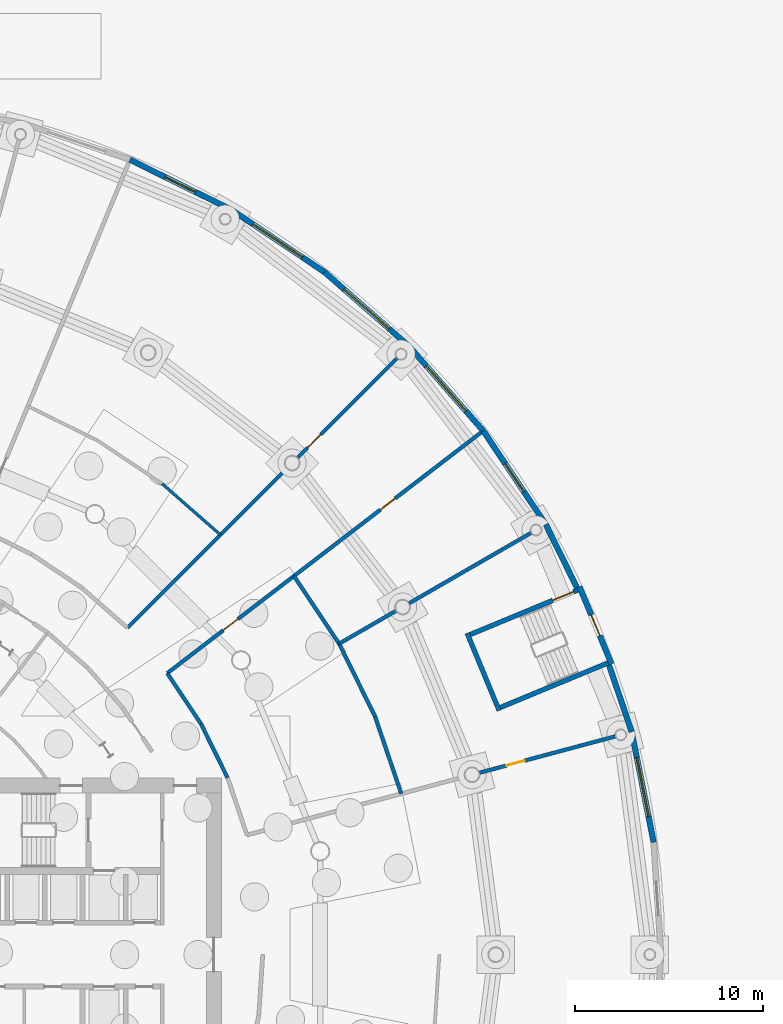
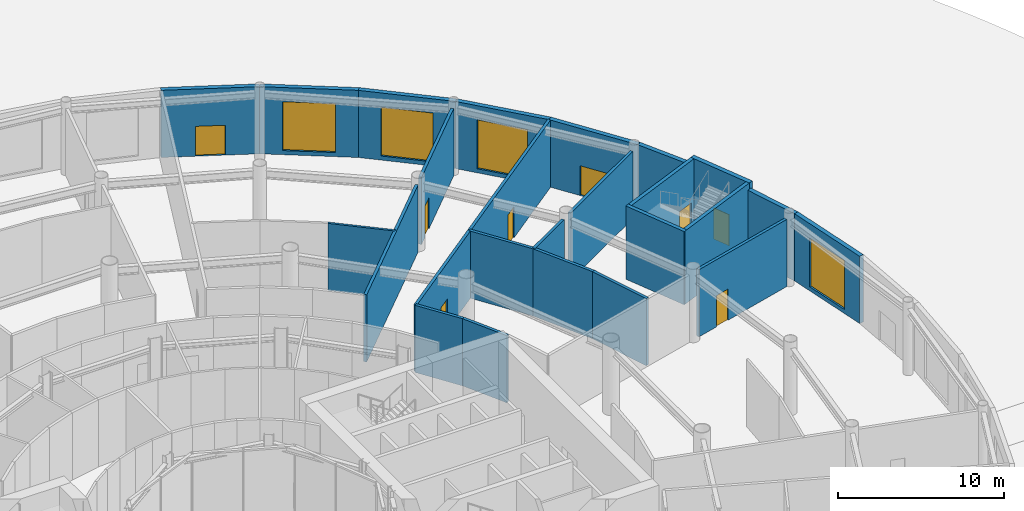
# One storey, part 27 of 41: 25 walls, 8 doors, 4 windows, 12 openings.
"""IFC4 building model written with IfcOpenShell, lengths in metres."""

from ifc_helpers import new_model, si_unit, direction, frame, frame_2d, origin, place, context, subcontext, project, spatial, rectangle, extrude, material, layer, layer_set, type_object, element, fill, save


model = new_model("IFC4")

# Units and contexts
model_context = context("Model", 3, precision=1e-05, world=origin(), true_north=direction((0.0, 1.0)))
body_context = subcontext(model_context, "Body", "Model", "MODEL_VIEW")
ifc_project = project(units=[si_unit("LENGTHUNIT", "METRE"), si_unit("AREAUNIT", "SQUARE_METRE"), si_unit("VOLUMEUNIT", "CUBIC_METRE"), si_unit("PLANEANGLEUNIT", "RADIAN"), si_unit("MASSUNIT", "GRAM", prefix="KILO")], contexts=[model_context])

# Site, building, storey
site_placement = place(None, origin())
site = spatial("IfcSite", under=ifc_project, at=site_placement, CompositionType="ELEMENT")
building_placement = place(site_placement, origin())
building = spatial("IfcBuilding", under=site, at=building_placement, Name="Maasbend Ring Residences", CompositionType="ELEMENT")
storey_placement = place(building_placement, origin())
storey = spatial("IfcBuildingStorey", under=building, at=storey_placement, Name="L00", CompositionType="ELEMENT", Elevation=0.0)

# Wall, opening, door
ifc_material_1 = material(Name="Concrete C30/37", Category="concrete")
ifc_layer_1 = layer(ifc_material_1, 0.199951171875)
ifc_layer_set_1 = layer_set([ifc_layer_1], Name="Concrete C30/37")
wall_type_1 = type_object("IfcWallType", Name="COMPARTMENT WALL 200 CONCRETE", PredefinedType="PARTITIONING", material=ifc_layer_set_1)
wall_1_placement = place(storey_placement, frame((19.51611328125, 14.97607421875, 0.0), z_axis=(0.0, 0.0, 1.0), x_axis=(0.793407068843, 0.608691402198, 0.0)))
wall_1 = element("IfcWall", 1, at=wall_1_placement, inside=storey, type_object=wall_type_1, Name="U-L00-w124", PredefinedType="PARTITIONING", context=body_context, shape_type="SweptSolid", body=[
    extrude(rectangle(XDim=8.5, YDim=0.199951171875, at=frame_2d((4.25, 0.0))), origin(), (0.0, 0.0, 1.0), 4.949951171875),
])
opening_1_placement = place(wall_1_placement, frame((3.75, 0.0, 0.0)))
opening_1 = element("IfcOpeningElement", 2, at=opening_1_placement, cuts=wall_1, Name="Opening D-0018", PredefinedType="OPENING", context=body_context, shape_type="SweptSolid", body=[
    extrude(rectangle(XDim=1.0, YDim=2.300048828125, at=frame_2d((0.5, 1.14990234375))), frame((0.0, 0.10986328125, 0.0), z_axis=(0.0, -1.0, 0.0), x_axis=(1.0, 0.0, 0.0)), (0.0, 0.0, 1.0), 0.219970703125),
])
ifc_material_2 = material(Name="Steel, fire-rated, painted", Category="steel")
door_type_1 = type_object("IfcDoorType", Name="PLANT DOOR 1000 X 2300 FIRE-RATED", OperationType="NOTDEFINED", PredefinedType="DOOR", material=ifc_material_2)
door_1_placement = place(opening_1_placement, origin())
door_1 = element("IfcDoor", 3, at=door_1_placement, inside=storey, type_object=door_type_1, Name="D-0018", OperationType="SINGLE_SWING_RIGHT", OverallHeight=2.300048828125, OverallWidth=1.0, PredefinedType="DOOR", context=body_context, shape_type="SweptSolid", body=[
    extrude(rectangle(XDim=1.0, YDim=2.300048828125, at=frame_2d((0.5, 1.14990234375))), frame((0.0, 0.02490234375, 0.0), z_axis=(0.0, -1.0, 0.0), x_axis=(1.0, 0.0, 0.0)), (0.0, 0.0, 1.0), 0.050048828125),
])
fill(opening_1, door_1)

# Walls
wall_2_placement = place(storey_placement, frame((28.6650390625, 16.550048828125, 0.0), z_axis=(0.0, 0.0, 1.0), x_axis=(0.86608920467, 0.499889477339, 0.0)))
element("IfcWall", 4, at=wall_2_placement, inside=storey, type_object=wall_type_1, Name="U-L00-w131", PredefinedType="PARTITIONING", context=body_context, shape_type="SweptSolid", body=[
    extrude(rectangle(XDim=3.500732421875, YDim=0.199951171875, at=frame_2d((1.75048828125, 0.0))), origin(), (0.0, 0.0, 1.0), 4.949951171875),
])
wall_3_placement = place(storey_placement, frame((32.388916015625, 18.699951171875, 0.0), z_axis=(0.0, 0.0, 1.0), x_axis=(0.866055506462, 0.499947857008, 0.0)))
element("IfcWall", 5, at=wall_3_placement, inside=storey, type_object=wall_type_1, Name="U-L00-w132", PredefinedType="PARTITIONING", context=body_context, shape_type="SweptSolid", body=[
    extrude(rectangle(XDim=7.500732421875, YDim=0.199951171875, at=frame_2d((3.75048828125, 0.0))), origin(), (0.0, 0.0, 1.0), 4.949951171875),
])

# Wall, opening, door
wall_4_placement = place(storey_placement, frame((36.1259765625, 9.677001953125, 0.0), z_axis=(0.0, 0.0, 1.0), x_axis=(0.96593933493, 0.258768624905, 0.0)))
wall_4 = element("IfcWall", 6, at=wall_4_placement, inside=storey, type_object=wall_type_1, Name="U-L00-w134", PredefinedType="PARTITIONING", context=body_context, shape_type="SweptSolid", body=[
    extrude(rectangle(XDim=7.50048828125, YDim=0.199951171875, at=frame_2d((3.750244140625, 0.0))), origin(), (0.0, 0.0, 1.0), 4.949951171875),
])
opening_2_placement = place(wall_4_placement, frame((1.493896484375, 0.0, 0.0)))
opening_2 = element("IfcOpeningElement", 7, at=opening_2_placement, cuts=wall_4, Name="Opening D-0019", PredefinedType="OPENING", context=body_context, shape_type="SweptSolid", body=[
    extrude(rectangle(XDim=1.0, YDim=2.300048828125, at=frame_2d((0.5, 1.14990234375))), frame((0.0, 0.10986328125, 0.0), z_axis=(0.0, -1.0, 0.0), x_axis=(1.0, 0.0, 0.0)), (0.0, 0.0, 1.0), 0.219970703125),
])
door_2_placement = place(opening_2_placement, origin())
door_2 = element("IfcDoor", 8, at=door_2_placement, inside=storey, type_object=door_type_1, Name="D-0019", OperationType="SINGLE_SWING_LEFT", OverallHeight=2.300048828125, OverallWidth=1.0, PredefinedType="DOOR", context=body_context, shape_type="SweptSolid", body=[
    extrude(rectangle(XDim=1.0, YDim=2.300048828125, at=frame_2d((0.5, 1.14990234375))), frame((0.0, 0.02490234375, 0.0), z_axis=(0.0, -1.0, 0.0), x_axis=(1.0, 0.0, 0.0)), (0.0, 0.0, 1.0), 0.050048828125),
])
fill(opening_2, door_2)

# Walls
wall_5_placement = place(storey_placement, frame((19.51611328125, 14.97607421875, 0.0), z_axis=(0.0, 0.0, 1.0), x_axis=(0.555522714148, -0.831501361433, 0.0)))
element("IfcWall", 9, at=wall_5_placement, inside=storey, type_object=wall_type_1, Name="U-L00-w192", PredefinedType="PARTITIONING", context=body_context, shape_type="SweptSolid", body=[
    extrude(rectangle(XDim=3.21826171875, YDim=0.199951171875, at=frame_2d((1.609130859375, 0.0))), origin(), (0.0, 0.0, 1.0), 4.949951171875),
])
wall_6_placement = place(storey_placement, frame((21.303955078125, 12.300048828125, 0.0), z_axis=(0.0, 0.0, 1.0), x_axis=(0.442259878763, -0.896886949195, 0.0)))
element("IfcWall", 10, at=wall_6_placement, inside=storey, type_object=wall_type_1, Name="U-L00-w193", PredefinedType="PARTITIONING", context=body_context, shape_type="SweptSolid", body=[
    extrude(rectangle(XDim=3.2177734375, YDim=0.199951171875, at=frame_2d((1.60888671875, 0.0))), origin(), (0.0, 0.0, 1.0), 4.949951171875),
])
wall_7_placement = place(storey_placement, frame((26.260009765625, 20.14990234375, 0.0), z_axis=(0.0, 0.0, 1.0), x_axis=(0.555519783102, -0.831503319646, 0.0)))
element("IfcWall", 11, at=wall_7_placement, inside=storey, type_object=wall_type_1, Name="U-L00-w201", PredefinedType="PARTITIONING", context=body_context, shape_type="SweptSolid", body=[
    extrude(rectangle(XDim=4.329345703125, YDim=0.199951171875, at=frame_2d((2.16455078125, 0.0))), origin(), (0.0, 0.0, 1.0), 4.949951171875),
])
wall_8_placement = place(storey_placement, frame((28.6650390625, 16.550048828125, 0.0), z_axis=(0.0, 0.0, 1.0), x_axis=(0.442312366853, -0.89686106512, 0.0)))
element("IfcWall", 12, at=wall_8_placement, inside=storey, type_object=wall_type_1, Name="U-L00-w202", PredefinedType="PARTITIONING", context=body_context, shape_type="SweptSolid", body=[
    extrude(rectangle(XDim=4.32958984375, YDim=0.199951171875, at=frame_2d((2.164794921875, 0.0))), origin(), (0.0, 0.0, 1.0), 4.949951171875),
])
wall_9_placement = place(storey_placement, frame((30.580078125, 12.6669921875, 0.0), z_axis=(0.0, 0.0, 1.0), x_axis=(0.3214498388, -0.946926608104, 0.0)))
element("IfcWall", 13, at=wall_9_placement, inside=storey, type_object=wall_type_1, Name="U-L00-w203", PredefinedType="PARTITIONING", context=body_context, shape_type="SweptSolid", body=[
    extrude(rectangle(XDim=4.329833984375, YDim=0.199951171875, at=frame_2d((2.1650390625, 0.0))), origin(), (0.0, 0.0, 1.0), 4.949951171875),
])

# Wall, opening, door
ifc_material_3 = material(Name="Concrete C70/85", Category="concrete")
ifc_layer_2 = layer(ifc_material_3, 0.25)
ifc_layer_set_2 = layer_set([ifc_layer_2], Name="Concrete C70/85")
wall_type_2 = type_object("IfcWallType", Name="CORE WALL 250 C70/85", PredefinedType="SHEAR", material=ifc_layer_set_2)
wall_10_placement = place(storey_placement, frame((41.37158203125, 19.40966796875, 0.0), z_axis=(0.0, 0.0, 1.0), x_axis=(-0.923886743203, -0.382666023753, 0.0)))
wall_10 = element("IfcWall", 14, at=wall_10_placement, inside=storey, type_object=wall_type_2, Name="L00 ST-P5 enclosure wall WS+", PredefinedType="SHEAR", context=body_context, shape_type="SweptSolid", body=[
    extrude(rectangle(XDim=6.4501953125, YDim=0.25, at=frame_2d((3.22509765625, 0.0))), origin(), (0.0, 0.0, 1.0), 5.39990234375),
])
opening_3_placement = place(wall_10_placement, frame((0.25, 0.0, 0.0)))
opening_3 = element("IfcOpeningElement", 15, at=opening_3_placement, cuts=wall_10, Name="Opening D-P500S", PredefinedType="OPENING", context=body_context, shape_type="SweptSolid", body=[
    extrude(rectangle(XDim=1.199951171875, YDim=2.300048828125, at=frame_2d((0.60009765625, 1.14990234375))), frame((0.0, 0.135009765625, 0.0), z_axis=(0.0, -1.0, 0.0), x_axis=(1.0, 0.0, 0.0)), (0.0, 0.0, 1.0), 0.27001953125),
])
ifc_material_4 = material(Name="Steel, powder coated", Category="steel")
door_type_2 = type_object("IfcDoorType", Name="STAIR DOOR 1200 X 2300 FD60", OperationType="NOTDEFINED", PredefinedType="DOOR", material=ifc_material_4)
door_3_placement = place(opening_3_placement, origin())
door_3 = element("IfcDoor", 16, at=door_3_placement, inside=storey, type_object=door_type_2, Name="Stair door ST-P5 L00", OperationType="SINGLE_SWING_RIGHT", OverallHeight=2.300048828125, OverallWidth=1.199951171875, PredefinedType="DOOR", context=body_context, shape_type="SweptSolid", body=[
    extrude(rectangle(XDim=1.199951171875, YDim=2.300048828125, at=frame_2d((0.60009765625, 1.14990234375))), frame((0.0, 0.02490234375, 0.0), z_axis=(0.0, -1.0, 0.0), x_axis=(1.0, 0.0, 0.0)), (0.0, 0.0, 1.0), 0.050048828125),
])
fill(opening_3, door_3)

# Walls
wall_11_placement = place(storey_placement, frame((37.019775390625, 13.06103515625, 0.0), z_axis=(0.0, 0.0, 1.0), x_axis=(0.923881200375, 0.38267940576, 0.0)))
element("IfcWall", 17, at=wall_11_placement, inside=storey, type_object=wall_type_2, Name="L00 ST-P5 enclosure wall WS-", PredefinedType="SHEAR", context=body_context, shape_type="SweptSolid", body=[
    extrude(rectangle(XDim=6.449951171875, YDim=0.25, at=frame_2d((3.22509765625, 0.0))), origin(), (0.0, 0.0, 1.0), 5.39990234375),
])
wall_12_placement = place(storey_placement, frame((37.18310546875, 12.993408203125, 0.0), z_axis=(0.0, 0.0, 1.0), x_axis=(-0.382713570591, 0.923867048273, 0.0)))
element("IfcWall", 18, at=wall_12_placement, inside=storey, type_object=wall_type_2, Name="L00 ST-P5 enclosure wall WIN", PredefinedType="SHEAR", context=body_context, shape_type="SweptSolid", body=[
    extrude(rectangle(XDim=4.4501953125, YDim=0.25, at=frame_2d((2.22509765625, 0.0))), origin(), (0.0, 0.0, 1.0), 5.39990234375),
])

# Wall, opening, door
ifc_material_5 = material(Name="Concrete C70/85", Category="concrete")
ifc_layer_3 = layer(ifc_material_5, 0.300048828125)
ifc_layer_set_3 = layer_set([ifc_layer_3], Name="Concrete C70/85")
wall_type_3 = type_object("IfcWallType", Name="CORE WALL 300 C70/85", PredefinedType="SHEAR", material=ifc_layer_set_3)
wall_13_placement = place(storey_placement, frame((41.462158203125, 19.58251953125, 0.0), z_axis=(0.0, 0.0, 1.0), x_axis=(0.382666743194, -0.923886445216, 0.0)))
wall_13 = element("IfcWall", 19, at=wall_13_placement, inside=storey, type_object=wall_type_3, Name="L00 ST-P5 enclosure wall WOUT", PredefinedType="SHEAR", context=body_context, shape_type="SweptSolid", body=[
    extrude(rectangle(XDim=4.449951171875, YDim=0.300048828125, at=frame_2d((2.22509765625, 0.0))), origin(), (0.0, 0.0, 1.0), 5.39990234375),
])
opening_4_placement = place(wall_13_placement, frame((1.625, 0.0, 0.0)))
opening_4 = element("IfcOpeningElement", 20, at=opening_4_placement, cuts=wall_13, Name="Opening D-P500O", PredefinedType="OPENING", context=body_context, shape_type="SweptSolid", body=[
    extrude(rectangle(XDim=1.199951171875, YDim=2.300048828125, at=frame_2d((0.60009765625, 1.14990234375))), frame((0.0, 0.16015625, 0.0), z_axis=(0.0, -1.0, 0.0), x_axis=(1.0, 0.0, 0.0)), (0.0, 0.0, 1.0), 0.320068359375),
])
door_4_placement = place(opening_4_placement, origin())
door_4 = element("IfcDoor", 21, at=door_4_placement, inside=storey, type_object=door_type_2, Name="Stair door ST-P5 L00", OperationType="SINGLE_SWING_LEFT", OverallHeight=2.300048828125, OverallWidth=1.199951171875, PredefinedType="DOOR", context=body_context, shape_type="SweptSolid", body=[
    extrude(rectangle(XDim=1.199951171875, YDim=2.300048828125, at=frame_2d((0.60009765625, 1.14990234375))), frame((0.0, 0.02490234375, 0.0), z_axis=(0.0, -1.0, 0.0), x_axis=(1.0, 0.0, 0.0)), (0.0, 0.0, 1.0), 0.050048828125),
])
fill(opening_4, door_4)

# Wall
ifc_material_6 = material(Name="Concrete C30/37", Category="concrete")
ifc_layer_4 = layer(ifc_material_6, 0.199951171875)
ifc_layer_set_4 = layer_set([ifc_layer_4], Name="Concrete C30/37")
wall_type_4 = type_object("IfcWallType", Name="CORRIDOR WALL 200 CONCRETE", PredefinedType="PARTITIONING", material=ifc_layer_set_4)
wall_14_placement = place(storey_placement, frame((17.39501953125, 17.39501953125, 0.0), z_axis=(0.0, 0.0, 1.0), x_axis=(0.707106781187, 0.707106781187, 0.0)))
element("IfcWall", 22, at=wall_14_placement, inside=storey, type_object=wall_type_4, Name="U-L00-w123", PredefinedType="PARTITIONING", context=body_context, shape_type="SweptSolid", body=[
    extrude(rectangle(XDim=11.993896484375, YDim=0.199951171875, at=frame_2d((5.9970703125, 0.0))), origin(), (0.0, 0.0, 1.0), 4.949951171875),
])

# Wall, opening, door
wall_15_placement = place(storey_placement, frame((26.260009765625, 20.14990234375, 0.0), z_axis=(0.0, 0.0, 1.0), x_axis=(0.793363129336, 0.608748671465, 0.0)))
wall_15 = element("IfcWall", 23, at=wall_15_placement, inside=storey, type_object=wall_type_4, Name="U-L00-w128", PredefinedType="PARTITIONING", context=body_context, shape_type="SweptSolid", body=[
    extrude(rectangle(XDim=12.58837890625, YDim=0.199951171875, at=frame_2d((6.294189453125, 0.0))), origin(), (0.0, 0.0, 1.0), 4.949951171875),
])
opening_5_placement = place(wall_15_placement, frame((5.7939453125, 0.0, 0.0)))
opening_5 = element("IfcOpeningElement", 24, at=opening_5_placement, cuts=wall_15, Name="Opening D-0020", PredefinedType="OPENING", context=body_context, shape_type="SweptSolid", body=[
    extrude(rectangle(XDim=1.0, YDim=2.300048828125, at=frame_2d((0.5, 1.14990234375))), frame((0.0, 0.10986328125, 0.0), z_axis=(0.0, -1.0, 0.0), x_axis=(1.0, 0.0, 0.0)), (0.0, 0.0, 1.0), 0.219970703125),
])
ifc_material_7 = material(Name="Timber, painted", Category="wood")
door_type_3 = type_object("IfcDoorType", Name="ROOM DOOR 1000 X 2300", OperationType="NOTDEFINED", PredefinedType="DOOR", material=ifc_material_7)
door_5_placement = place(opening_5_placement, origin())
door_5 = element("IfcDoor", 25, at=door_5_placement, inside=storey, type_object=door_type_3, Name="D-0020", OperationType="SINGLE_SWING_RIGHT", OverallHeight=2.300048828125, OverallWidth=1.0, PredefinedType="DOOR", context=body_context, shape_type="SweptSolid", body=[
    extrude(rectangle(XDim=1.0, YDim=2.300048828125, at=frame_2d((0.5, 1.14990234375))), frame((0.0, 0.02490234375, 0.0), z_axis=(0.0, -1.0, 0.0), x_axis=(1.0, 0.0, 0.0)), (0.0, 0.0, 1.0), 0.050048828125),
])
fill(opening_5, door_5)

wall_16_placement = place(storey_placement, frame((26.449951171875, 26.449951171875, 0.0), z_axis=(0.0, 0.0, 1.0), x_axis=(0.707106781187, 0.707106781187, 0.0)))
wall_16 = element("IfcWall", 26, at=wall_16_placement, inside=storey, type_object=wall_type_4, Name="U-L00-w130", PredefinedType="PARTITIONING", context=body_context, shape_type="SweptSolid", body=[
    extrude(rectangle(XDim=7.489990234375, YDim=0.199951171875, at=frame_2d((3.7451171875, 0.0))), origin(), (0.0, 0.0, 1.0), 4.949951171875),
])
opening_6_placement = place(wall_16_placement, frame((0.7451171875, 0.0, 0.0)))
opening_6 = element("IfcOpeningElement", 27, at=opening_6_placement, cuts=wall_16, Name="Opening D-0022", PredefinedType="OPENING", context=body_context, shape_type="SweptSolid", body=[
    extrude(rectangle(XDim=1.0, YDim=2.300048828125, at=frame_2d((0.5, 1.14990234375))), frame((0.0, 0.10986328125, 0.0), z_axis=(0.0, -1.0, 0.0), x_axis=(1.0, 0.0, 0.0)), (0.0, 0.0, 1.0), 0.219970703125),
])
door_6_placement = place(opening_6_placement, origin())
door_6 = element("IfcDoor", 28, at=door_6_placement, inside=storey, type_object=door_type_3, Name="D-0022", OperationType="SINGLE_SWING_LEFT", OverallHeight=2.300048828125, OverallWidth=1.0, PredefinedType="DOOR", context=body_context, shape_type="SweptSolid", body=[
    extrude(rectangle(XDim=1.0, YDim=2.300048828125, at=frame_2d((0.5, 1.14990234375))), frame((0.0, 0.02490234375, 0.0), z_axis=(0.0, -1.0, 0.0), x_axis=(1.0, 0.0, 0.0)), (0.0, 0.0, 1.0), 0.050048828125),
])
fill(opening_6, door_6)

# Wall, opening, window
ifc_material_8 = material(Name="Pale anodised aluminium panel", Category="aluminium")
ifc_layer_5 = layer(ifc_material_8, 0.300048828125)
ifc_layer_set_5 = layer_set([ifc_layer_5], Name="EW-BASE")
wall_type_5 = type_object("IfcWallType", Name="EW-BASE", PredefinedType="SOLIDWALL", material=ifc_layer_set_5)
wall_17_placement = place(storey_placement, frame((45.407958984375, 5.97802734375, 0.0), z_axis=(0.0, 0.0, 1.0), x_axis=(-0.195112945602, 0.980780780021, 0.0)))
wall_17 = element("IfcWall", 29, at=wall_17_placement, inside=storey, type_object=wall_type_5, Name="Base block wall 02", PredefinedType="SOLIDWALL", context=body_context, shape_type="SweptSolid", body=[
    extrude(rectangle(XDim=5.9912109375, YDim=0.300048828125, at=frame_2d((2.99560546875, 0.0))), origin(), (0.0, 0.0, 1.0), 4.949951171875),
])
opening_7_placement = place(wall_17_placement, frame((1.3955078125, 0.0, 0.300048828125)))
opening_7 = element("IfcOpeningElement", 30, at=opening_7_placement, cuts=wall_17, Name="Opening W-SF", PredefinedType="OPENING", context=body_context, shape_type="SweptSolid", body=[
    extrude(rectangle(XDim=3.199951171875, YDim=3.60009765625, at=frame_2d((1.60009765625, 1.800048828125))), frame((0.0, 0.16015625, 0.0), z_axis=(0.0, -1.0, 0.0), x_axis=(1.0, 0.0, 0.0)), (0.0, 0.0, 1.0), 0.320068359375),
])
ifc_material_9 = material(Name="Aluminium and clear glass", Category="aluminium")
window_type = type_object("IfcWindowType", Name="W-SF", PartitioningType="SINGLE_PANEL", PredefinedType="WINDOW", material=ifc_material_9)
window_1_placement = place(opening_7_placement, origin())
window_1 = element("IfcWindow", 31, at=window_1_placement, inside=storey, type_object=window_type, Name="Shopfront 02", OverallHeight=3.60009765625, OverallWidth=3.199951171875, PartitioningType="SINGLE_PANEL", PredefinedType="WINDOW", context=body_context, shape_type="SweptSolid", body=[
    extrude(rectangle(XDim=3.199951171875, YDim=3.60009765625, at=frame_2d((1.60009765625, 1.800048828125))), frame((0.0, 0.030029296875, 0.0), z_axis=(0.0, -1.0, 0.0), x_axis=(1.0, 0.0, 0.0)), (0.0, 0.0, 1.0), 0.06005859375),
])
fill(opening_7, window_1)

# Walls
wall_18_placement = place(storey_placement, frame((44.239013671875, 11.85400390625, 0.0), z_axis=(0.0, 0.0, 1.0), x_axis=(-0.321481387979, 0.946915897629, 0.0)))
element("IfcWall", 32, at=wall_18_placement, inside=storey, type_object=wall_type_5, Name="Base block wall 03a", PredefinedType="SOLIDWALL", context=body_context, shape_type="SweptSolid", body=[
    extrude(rectangle(XDim=3.7607421875, YDim=0.300048828125, at=frame_2d((1.88037109375, 0.0))), origin(), (0.0, 0.0, 1.0), 4.949951171875),
])
wall_19_placement = place(storey_placement, frame((41.326904296875, 19.527099609375, 0.0), z_axis=(0.0, 0.0, 1.0), x_axis=(-0.44219447383, 0.896919197762, 0.0)))
element("IfcWall", 33, at=wall_19_placement, inside=storey, type_object=wall_type_5, Name="Base block wall 04a", PredefinedType="SOLIDWALL", context=body_context, shape_type="SweptSolid", body=[
    extrude(rectangle(XDim=3.760498046875, YDim=0.300048828125, at=frame_2d((1.88037109375, 0.0))), origin(), (0.0, 0.0, 1.0), 4.949951171875),
])

# Wall, opening, door
wall_20_placement = place(storey_placement, frame((39.6640625, 22.89990234375, 0.0), z_axis=(0.0, 0.0, 1.0), x_axis=(-0.55554631985, 0.831485590074, 0.0)))
wall_20 = element("IfcWall", 34, at=wall_20_placement, inside=storey, type_object=wall_type_5, Name="Base block wall 05", PredefinedType="SOLIDWALL", context=body_context, shape_type="SweptSolid", body=[
    extrude(rectangle(XDim=5.99072265625, YDim=0.300048828125, at=frame_2d((2.995361328125, 0.0))), origin(), (0.0, 0.0, 1.0), 4.949951171875),
])
opening_8_placement = place(wall_20_placement, frame((2.095458984375, 0.0, 0.0)))
opening_8 = element("IfcOpeningElement", 35, at=opening_8_placement, cuts=wall_20, Name="Opening D-EX", PredefinedType="OPENING", context=body_context, shape_type="SweptSolid", body=[
    extrude(rectangle(XDim=1.800048828125, YDim=2.199951171875, at=frame_2d((0.89990234375, 1.10009765625))), frame((0.0, 0.16015625, 0.0), z_axis=(0.0, -1.0, 0.0), x_axis=(1.0, 0.0, 0.0)), (0.0, 0.0, 1.0), 0.320068359375),
])
ifc_material_10 = material(Name="Aluminium and clear glass", Category="aluminium")
door_type_4 = type_object("IfcDoorType", Name="D-EX", OperationType="DOUBLE_DOOR_SINGLE_SWING", PredefinedType="DOOR", material=ifc_material_10)
door_7_placement = place(opening_8_placement, origin())
door_7 = element("IfcDoor", 36, at=door_7_placement, inside=storey, type_object=door_type_4, Name="Exit door 05", OperationType="SINGLE_SWING_LEFT", OverallHeight=2.199951171875, OverallWidth=1.800048828125, PredefinedType="DOOR", context=body_context, shape_type="SweptSolid", body=[
    extrude(rectangle(XDim=1.800048828125, YDim=2.199951171875, at=frame_2d((0.89990234375, 1.10009765625))), frame((0.0, 0.02490234375, 0.0), z_axis=(0.0, -1.0, 0.0), x_axis=(1.0, 0.0, 0.0)), (0.0, 0.0, 1.0), 0.050048828125),
])
fill(opening_8, door_7)

# Wall, opening, window
wall_21_placement = place(storey_placement, frame((36.3359375, 27.881103515625, 0.0), z_axis=(0.0, 0.0, 1.0), x_axis=(-0.659450342916, 0.751748126189, 0.0)))
wall_21 = element("IfcWall", 37, at=wall_21_placement, inside=storey, type_object=wall_type_5, Name="Base block wall 06", PredefinedType="SOLIDWALL", context=body_context, shape_type="SweptSolid", body=[
    extrude(rectangle(XDim=5.9912109375, YDim=0.300048828125, at=frame_2d((2.99560546875, 0.0))), origin(), (0.0, 0.0, 1.0), 4.949951171875),
])
opening_9_placement = place(wall_21_placement, frame((1.3955078125, 0.0, 0.300048828125)))
opening_9 = element("IfcOpeningElement", 38, at=opening_9_placement, cuts=wall_21, Name="Opening W-SF", PredefinedType="OPENING", context=body_context, shape_type="SweptSolid", body=[
    extrude(rectangle(XDim=3.199951171875, YDim=3.60009765625, at=frame_2d((1.60009765625, 1.800048828125))), frame((0.0, 0.16015625, 0.0), z_axis=(0.0, -1.0, 0.0), x_axis=(1.0, 0.0, 0.0)), (0.0, 0.0, 1.0), 0.320068359375),
])
window_2_placement = place(opening_9_placement, origin())
window_2 = element("IfcWindow", 39, at=window_2_placement, inside=storey, type_object=window_type, Name="Shopfront 06", OverallHeight=3.60009765625, OverallWidth=3.199951171875, PartitioningType="SINGLE_PANEL", PredefinedType="WINDOW", context=body_context, shape_type="SweptSolid", body=[
    extrude(rectangle(XDim=3.199951171875, YDim=3.60009765625, at=frame_2d((1.60009765625, 1.800048828125))), frame((0.0, 0.030029296875, 0.0), z_axis=(0.0, -1.0, 0.0), x_axis=(1.0, 0.0, 0.0)), (0.0, 0.0, 1.0), 0.06005859375),
])
fill(opening_9, window_2)

wall_22_placement = place(storey_placement, frame((32.385009765625, 32.385009765625, 0.0), z_axis=(0.0, 0.0, 1.0), x_axis=(-0.751748126189, 0.659450342916, 0.0)))
wall_22 = element("IfcWall", 40, at=wall_22_placement, inside=storey, type_object=wall_type_5, Name="Base block wall 07", PredefinedType="SOLIDWALL", context=body_context, shape_type="SweptSolid", body=[
    extrude(rectangle(XDim=5.9912109375, YDim=0.300048828125, at=frame_2d((2.99560546875, 0.0))), origin(), (0.0, 0.0, 1.0), 4.949951171875),
])
opening_10_placement = place(wall_22_placement, frame((1.3955078125, 0.0, 0.300048828125)))
opening_10 = element("IfcOpeningElement", 41, at=opening_10_placement, cuts=wall_22, Name="Opening W-SF", PredefinedType="OPENING", context=body_context, shape_type="SweptSolid", body=[
    extrude(rectangle(XDim=3.199951171875, YDim=3.60009765625, at=frame_2d((1.60009765625, 1.800048828125))), frame((0.0, 0.16015625, 0.0), z_axis=(0.0, -1.0, 0.0), x_axis=(1.0, 0.0, 0.0)), (0.0, 0.0, 1.0), 0.320068359375),
])
window_3_placement = place(opening_10_placement, origin())
window_3 = element("IfcWindow", 42, at=window_3_placement, inside=storey, type_object=window_type, Name="Shopfront 07", OverallHeight=3.60009765625, OverallWidth=3.199951171875, PartitioningType="SINGLE_PANEL", PredefinedType="WINDOW", context=body_context, shape_type="SweptSolid", body=[
    extrude(rectangle(XDim=3.199951171875, YDim=3.60009765625, at=frame_2d((1.60009765625, 1.800048828125))), frame((0.0, 0.030029296875, 0.0), z_axis=(0.0, -1.0, 0.0), x_axis=(1.0, 0.0, 0.0)), (0.0, 0.0, 1.0), 0.06005859375),
])
fill(opening_10, window_3)

wall_23_placement = place(storey_placement, frame((27.881103515625, 36.3359375, 0.0), z_axis=(0.0, 0.0, 1.0), x_axis=(-0.831485590074, 0.55554631985, 0.0)))
wall_23 = element("IfcWall", 43, at=wall_23_placement, inside=storey, type_object=wall_type_5, Name="Base block wall 08", PredefinedType="SOLIDWALL", context=body_context, shape_type="SweptSolid", body=[
    extrude(rectangle(XDim=5.99072265625, YDim=0.300048828125, at=frame_2d((2.995361328125, 0.0))), origin(), (0.0, 0.0, 1.0), 4.949951171875),
])
opening_11_placement = place(wall_23_placement, frame((1.3955078125, 0.0, 0.300048828125)))
opening_11 = element("IfcOpeningElement", 44, at=opening_11_placement, cuts=wall_23, Name="Opening W-SF", PredefinedType="OPENING", context=body_context, shape_type="SweptSolid", body=[
    extrude(rectangle(XDim=3.199951171875, YDim=3.60009765625, at=frame_2d((1.60009765625, 1.800048828125))), frame((0.0, 0.16015625, 0.0), z_axis=(0.0, -1.0, 0.0), x_axis=(1.0, 0.0, 0.0)), (0.0, 0.0, 1.0), 0.320068359375),
])
window_4_placement = place(opening_11_placement, origin())
window_4 = element("IfcWindow", 45, at=window_4_placement, inside=storey, type_object=window_type, Name="Shopfront 08", OverallHeight=3.60009765625, OverallWidth=3.199951171875, PartitioningType="SINGLE_PANEL", PredefinedType="WINDOW", context=body_context, shape_type="SweptSolid", body=[
    extrude(rectangle(XDim=3.199951171875, YDim=3.60009765625, at=frame_2d((1.60009765625, 1.800048828125))), frame((0.0, 0.030029296875, 0.0), z_axis=(0.0, -1.0, 0.0), x_axis=(1.0, 0.0, 0.0)), (0.0, 0.0, 1.0), 0.06005859375),
])
fill(opening_11, window_4)

# Wall, opening, door
wall_24_placement = place(storey_placement, frame((22.89990234375, 39.6640625, 0.0), z_axis=(0.0, 0.0, 1.0), x_axis=(-0.896850939151, 0.44233289833, 0.0)))
wall_24 = element("IfcWall", 46, at=wall_24_placement, inside=storey, type_object=wall_type_5, Name="Base block wall 09", PredefinedType="SOLIDWALL", context=body_context, shape_type="SweptSolid", body=[
    extrude(rectangle(XDim=5.99072265625, YDim=0.300048828125, at=frame_2d((2.995361328125, 0.0))), origin(), (0.0, 0.0, 1.0), 4.949951171875),
])
opening_12_placement = place(wall_24_placement, frame((2.095458984375, 0.0, 0.0)))
opening_12 = element("IfcOpeningElement", 47, at=opening_12_placement, cuts=wall_24, Name="Opening D-EX", PredefinedType="OPENING", context=body_context, shape_type="SweptSolid", body=[
    extrude(rectangle(XDim=1.800048828125, YDim=2.199951171875, at=frame_2d((0.89990234375, 1.10009765625))), frame((0.0, 0.16015625, 0.0), z_axis=(0.0, -1.0, 0.0), x_axis=(1.0, 0.0, 0.0)), (0.0, 0.0, 1.0), 0.320068359375),
])
door_8_placement = place(opening_12_placement, origin())
door_8 = element("IfcDoor", 48, at=door_8_placement, inside=storey, type_object=door_type_4, Name="Exit door 09", OperationType="SINGLE_SWING_LEFT", OverallHeight=2.199951171875, OverallWidth=1.800048828125, PredefinedType="DOOR", context=body_context, shape_type="SweptSolid", body=[
    extrude(rectangle(XDim=1.800048828125, YDim=2.199951171875, at=frame_2d((0.89990234375, 1.10009765625))), frame((0.0, 0.02490234375, 0.0), z_axis=(0.0, -1.0, 0.0), x_axis=(1.0, 0.0, 0.0)), (0.0, 0.0, 1.0), 0.050048828125),
])
fill(opening_12, door_8)

# Wall
ifc_material_11 = material(Name="Gypsum board on steel studs", Category="steel")
ifc_layer_6 = layer(ifc_material_11, 0.14990234375)
ifc_layer_set_6 = layer_set([ifc_layer_6], Name="PARTITION 150 GYPSUM")
wall_type_6 = type_object("IfcWallType", Name="PARTITION 150 GYPSUM", PredefinedType="PARTITIONING", material=ifc_layer_set_6)
wall_25_placement = place(storey_placement, frame((19.237060546875, 25.070068359375, 0.0), z_axis=(0.0, 0.0, 1.0), x_axis=(0.751895740099, -0.659282030713, 0.0)))
element("IfcWall", 49, at=wall_25_placement, inside=storey, type_object=wall_type_6, Name="U-L00-w197", PredefinedType="PARTITIONING", context=body_context, shape_type="SweptSolid", body=[
    extrude(rectangle(XDim=4.133544921875, YDim=0.14990234375, at=frame_2d((2.06689453125, 0.0))), origin(), (0.0, 0.0, 1.0), 4.949951171875),
])

save(model, "model.ifc")
